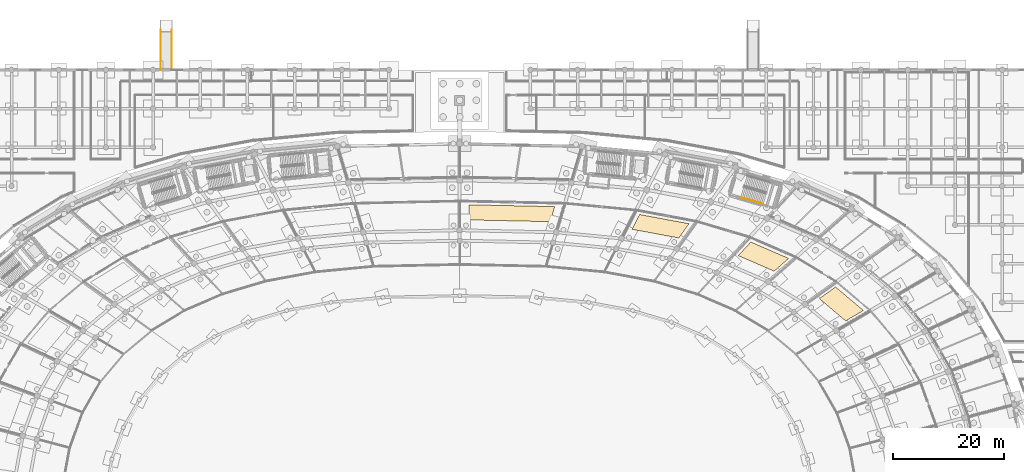
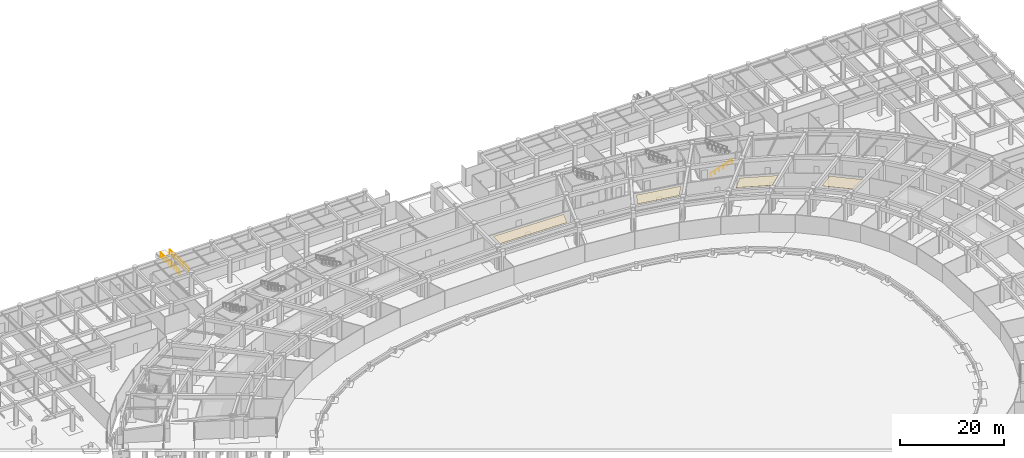
# One storey, part 85 of 88: 4 coverings, 3 railings.
"""IFC4 building model written with IfcOpenShell, lengths in metres."""

from ifc_helpers import new_model, si_unit, direction, frame, origin, origin_2d, place, context, subcontext, project, spatial, polyline, circle, outline, extrude, material, layer, layer_set, type_object, element, save


model = new_model("IFC4")

# Units and contexts
model_context = context("Model", 3, precision=1e-05, world=origin(), true_north=direction((0.0, 1.0)))
body_context = subcontext(model_context, "Body", "Model", "MODEL_VIEW")
ifc_project = project(units=[si_unit("LENGTHUNIT", "METRE"), si_unit("AREAUNIT", "SQUARE_METRE"), si_unit("VOLUMEUNIT", "CUBIC_METRE"), si_unit("PLANEANGLEUNIT", "RADIAN"), si_unit("MASSUNIT", "GRAM", prefix="KILO")], contexts=[model_context])

# Site, building, storey
site_placement = place(None, origin())
site = spatial("IfcSite", under=ifc_project, at=site_placement, CompositionType="ELEMENT")
building_placement = place(site_placement, origin())
building = spatial("IfcBuilding", under=site, at=building_placement, Name="Mphavela Belvedere Stadium", CompositionType="ELEMENT")
storey_placement = place(building_placement, origin())
storey = spatial("IfcBuildingStorey", under=building, at=storey_placement, Name="L00", CompositionType="ELEMENT", Elevation=0.0)

# Coverings
ifc_material_1 = material(Name="Perforated acoustic mineral ceiling tile")
ifc_layer = layer(ifc_material_1, 0.0400390625)
ifc_layer_set = layer_set([ifc_layer], Name="Perforated acoustic mineral ceiling tile")
covering_type = type_object("IfcCoveringType", Name="COV-CEILING-ACOUSTIC", PredefinedType="CEILING", material=ifc_layer_set)
covering_1_placement = place(storey_placement, frame((0.0, 0.0, 4.10009765625)))
element("IfcCovering", 1, at=covering_1_placement, inside=storey, type_object=covering_type, Name="Concourse acoustic ceiling L00-06", PredefinedType="CEILING", context=body_context, shape_type="SweptSolid", body=[
    extrude(outline(polyline([(184.69921875, 128.660888671875), (179.931640625, 132.683837890625), (182.870849609375, 134.789794921875), (187.905029296875, 130.5419921875), (184.69921875, 128.660888671875)])), origin(), (0.0, 0.0, 1.0), 0.039794921875),
])
covering_2_placement = place(storey_placement, frame((0.0, 0.0, 4.10009765625)))
element("IfcCovering", 2, at=covering_2_placement, inside=storey, type_object=covering_type, Name="Concourse acoustic ceiling L00-08", PredefinedType="CEILING", context=body_context, shape_type="SweptSolid", body=[
    extrude(outline(polyline([(171.78125, 137.64111328125), (165.30419921875, 140.44921875), (167.56689453125, 142.9033203125), (174.406494140625, 139.938232421875), (171.78125, 137.64111328125)])), origin(), (0.0, 0.0, 1.0), 0.039794921875),
])
covering_3_placement = place(storey_placement, frame((0.0, 0.0, 4.10009765625)))
element("IfcCovering", 3, at=covering_3_placement, inside=storey, type_object=covering_type, Name="Concourse acoustic ceiling L00-10", PredefinedType="CEILING", context=body_context, shape_type="SweptSolid", body=[
    extrude(outline(polyline([(154.560546875, 143.632568359375), (146.1123046875, 145.2060546875), (147.489013671875, 147.870849609375), (156.409912109375, 146.20947265625), (154.560546875, 143.632568359375)])), origin(), (0.0, 0.0, 1.0), 0.039794921875),
])
covering_4_placement = place(storey_placement, frame((0.0, 0.0, 4.10009765625)))
element("IfcCovering", 4, at=covering_4_placement, inside=storey, type_object=covering_type, Name="Concourse acoustic ceiling L00-12", PredefinedType="CEILING", context=body_context, shape_type="SweptSolid", body=[
    extrude(outline(polyline([(131.334228515625, 146.57958984375), (116.656005859375, 146.8955078125), (116.656005859375, 149.631103515625), (132.155517578125, 149.29736328125), (131.334228515625, 146.57958984375)])), origin(), (0.0, 0.0, 1.0), 0.039794921875),
])

# Railings
ifc_material_2 = material(Name="Painted galvanised steel stair guardrail", Category="steel")
railing_type_1 = type_object("IfcRailingType", Name="RAL-GUARD-1120", PredefinedType="GUARDRAIL", material=ifc_material_2)
for number, where, name in (
    (5, (61.0, 181.199951171875, -0.39990234375), "Ramp RP3 guardrail R"),
    (6, (63.0, 181.199951171875, -0.39990234375), "Ramp RP3 guardrail L"),
):
    element("IfcRailing", number, at=place(storey_placement, frame(where)), inside=storey, type_object=railing_type_1, Name=name, PredefinedType="GUARDRAIL", context=body_context, shape_type="SweptSolid", body=[
        extrude(circle(Radius=0.02392578125, at=origin_2d()), frame((0.0, 0.0, 1.09619140625), z_axis=(0.0, -0.998482207996, 0.055075224161), x_axis=(1.0, 0.0, 0.0)), (0.0, 0.0, 1.0), 7.260986328125),
        extrude(circle(Radius=0.02099609375, at=origin_2d()), origin(), (0.0, 0.0, 1.0), 1.072021484375),
        extrude(circle(Radius=0.02099609375, at=origin_2d()), frame((0.0, -1.03564453125, 0.05712890625)), (0.0, 0.0, 1.0), 1.072021484375),
        extrude(circle(Radius=0.02099609375, at=origin_2d()), frame((0.0, -2.071533203125, 0.1142578125)), (0.0, 0.0, 1.0), 1.072021484375),
        extrude(circle(Radius=0.02099609375, at=origin_2d()), frame((0.0, -3.107177734375, 0.17138671875)), (0.0, 0.0, 1.0), 1.072021484375),
        extrude(circle(Radius=0.02099609375, at=origin_2d()), frame((0.0, -4.142822265625, 0.228515625)), (0.0, 0.0, 1.0), 1.072021484375),
        extrude(circle(Radius=0.02099609375, at=origin_2d()), frame((0.0, -5.178466796875, 0.28564453125)), (0.0, 0.0, 1.0), 1.072021484375),
        extrude(circle(Radius=0.02099609375, at=origin_2d()), frame((0.0, -6.21435546875, 0.3427734375)), (0.0, 0.0, 1.0), 1.072021484375),
        extrude(circle(Radius=0.02099609375, at=origin_2d()), frame((0.0, -7.25, 0.39990234375)), (0.0, 0.0, 1.0), 1.072021484375),
    ])
ifc_material_3 = material(Name="Brushed stainless steel tubular handrail", Category="steel")
railing_type_2 = type_object("IfcRailingType", Name="RAL-HANDRAIL-900", PredefinedType="HANDRAIL", material=ifc_material_3)
railing_placement = place(storey_placement, frame((165.750732421875, 150.96337890625, 0.179931640625)))
element("IfcRailing", 7, at=railing_placement, inside=storey, type_object=railing_type_2, Name="L00 ST-P01 stair handrail 1", PredefinedType="HANDRAIL", context=body_context, shape_type="SweptSolid", body=[
    extrude(circle(Radius=0.02392578125, at=origin_2d()), frame((0.0, 0.0, 0.8759765625), z_axis=(0.823491828592, -0.244388883235, 0.51199148625), x_axis=(0.284507077541, 0.958673939788, 0.0)), (0.0, 0.0, 1.0), 4.921875),
    extrude(circle(Radius=0.02099609375, at=origin_2d()), origin(), (0.0, 0.0, 1.0), 0.851806640625),
    extrude(circle(Radius=0.02099609375, at=origin_2d()), frame((0.810546875, -0.240478515625, 0.50390625)), (0.0, 0.0, 1.0), 0.851806640625),
    extrude(circle(Radius=0.02099609375, at=origin_2d()), frame((1.621337890625, -0.481201171875, 1.008056640625)), (0.0, 0.0, 1.0), 0.851806640625),
    extrude(circle(Radius=0.02099609375, at=origin_2d()), frame((2.431884765625, -0.7216796875, 1.511962890625)), (0.0, 0.0, 1.0), 0.851806640625),
    extrude(circle(Radius=0.02099609375, at=origin_2d()), frame((3.24267578125, -0.96240234375, 2.01611328125)), (0.0, 0.0, 1.0), 0.851806640625),
    extrude(circle(Radius=0.02099609375, at=origin_2d()), frame((4.05322265625, -1.202880859375, 2.52001953125)), (0.0, 0.0, 1.0), 0.851806640625),
])

save(model, "model.ifc")
